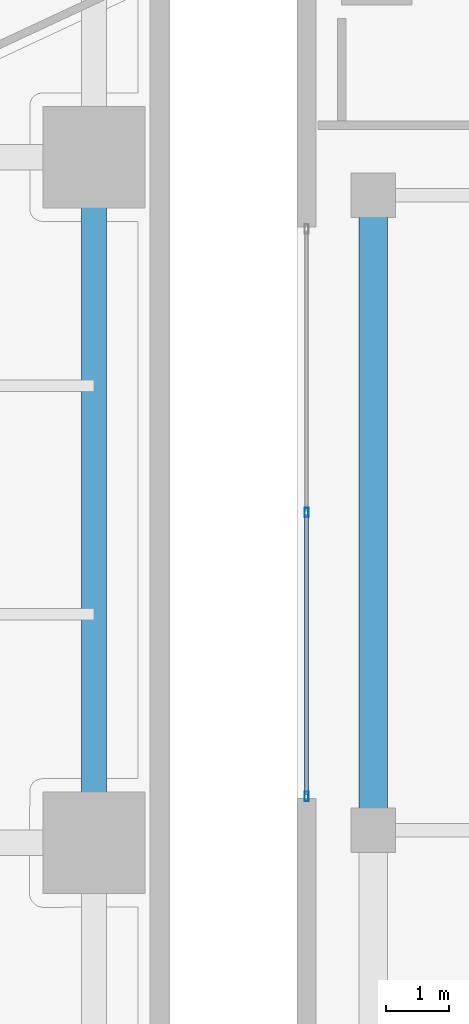
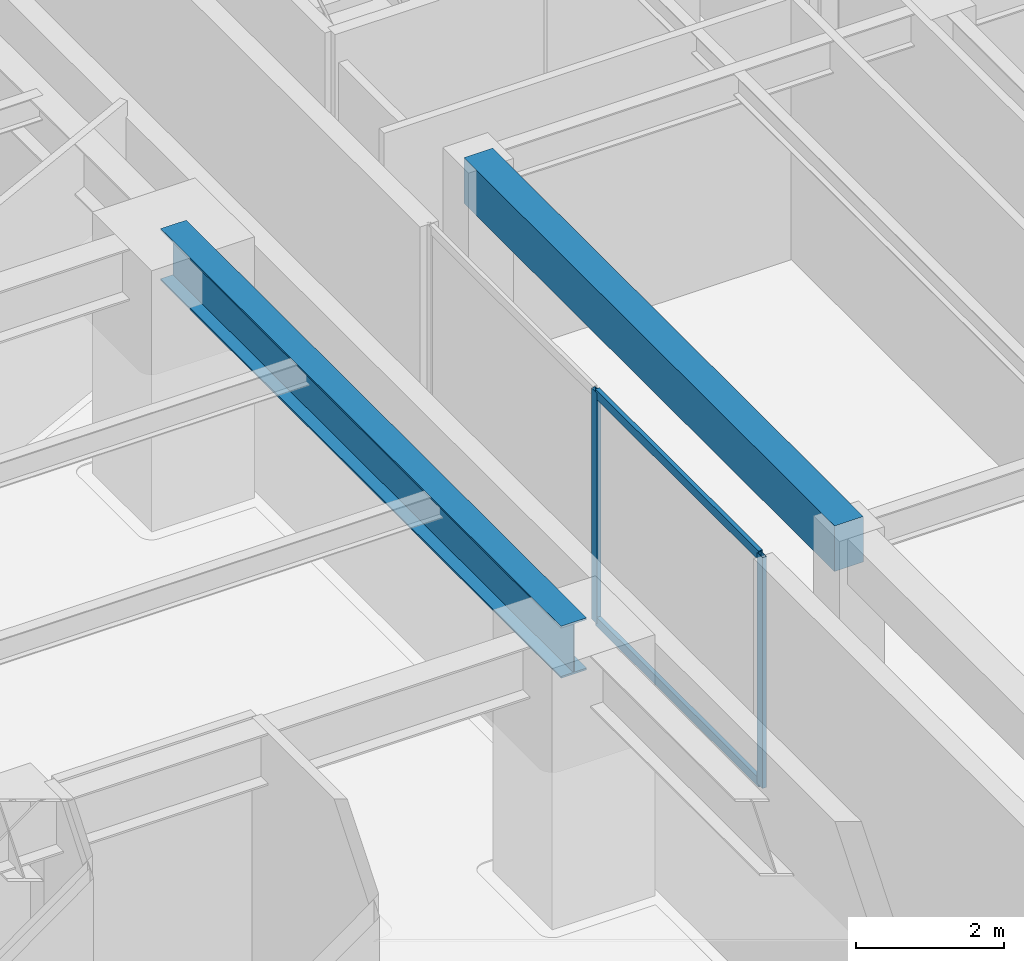
# One storey, part 8 of 25: 4 members, 2 beams, 1 element without a shape of its own.
"""IFC4 building model written with IfcOpenShell, lengths in metres."""

import ifcopenshell
import ifcopenshell.guid

model = None  # the IFC model being written
_history = None  # IfcOwnerHistory: only IFC2X3 demands one
_inside = {}  # id of a spatial element -> (the spatial element, [elements in it])
_under = {}  # id of a project, library or spatial element -> (it, [spatial elements below it])
_declared = {}  # id of a project -> (the project, [libraries it declares])
_typed = {}  # id of a type object -> (the type object, [elements of that type])
_made_of = {}  # id of a material, layer set ... -> (it, [elements and type objects made of it])


def new_model(schema):
    """Start an empty IFC model of exactly this schema.

    Asked for "IFC4X3", IfcOpenShell would pick the latest addendum, in which some entities
    have other attributes; the version numbers below select the first issue.
    IFC2X3 requires an IfcOwnerHistory on every rooted entity: one is made here for all.
    """
    global model, _history
    if schema == "IFC4X3":
        model = ifcopenshell.file(schema_version=(4, 3, 0, 0))
    else:
        model = ifcopenshell.file(schema=schema)
    _inside.clear()
    _under.clear()
    _declared.clear()
    _typed.clear()
    _made_of.clear()
    _history = None
    if model.schema == "IFC2X3":
        org = make("IfcOrganization", Name="unknown")
        user = make(
            "IfcPersonAndOrganization",
            ThePerson=make("IfcPerson", FamilyName="unknown"),
            TheOrganization=org,
        )
        app = make(
            "IfcApplication",
            ApplicationDeveloper=org,
            Version="unknown",
            ApplicationFullName="unknown",
            ApplicationIdentifier="unknown",
        )
        _history = make(
            "IfcOwnerHistory",
            OwningUser=user,
            OwningApplication=app,
            ChangeAction="ADDED",
            CreationDate=0,
        )
    return model


def make(cls, **values):
    """One entity of the class cls with the attributes given. An attribute that is None is left unset."""
    return model.create_entity(
        cls, **{name: value for name, value in values.items() if value is not None}
    )


def rooted(cls, **values):
    """An entity with a GlobalId (a new one), such as an element, a storey or a relation."""
    return make(cls, GlobalId=ifcopenshell.guid.new(), OwnerHistory=_history, **values)


def si_unit(unit_type, name, prefix=None):
    """IfcSIUnit, for example si_unit("LENGTHUNIT", "METRE", prefix="MILLI")."""
    return make("IfcSIUnit", UnitType=unit_type, Prefix=prefix, Name=name)


def assignment(units):
    """IfcUnitAssignment: the units of a project."""
    return None if units is None else make("IfcUnitAssignment", Units=units)


def point(xyz):
    """IfcCartesianPoint."""
    return None if xyz is None else make("IfcCartesianPoint", Coordinates=xyz)


def direction(xyz):
    """IfcDirection."""
    return None if xyz is None else make("IfcDirection", DirectionRatios=xyz)


def frame(location, z_axis=None, x_axis=None):
    """IfcAxis2Placement3D, a coordinate frame: its origin and axes. An axis left out is left unset."""
    return make(
        "IfcAxis2Placement3D",
        Location=point(location),
        Axis=direction(z_axis),
        RefDirection=direction(x_axis),
    )


def frame_2d(location, x_axis=None):
    """IfcAxis2Placement2D, a coordinate frame in the plane: its origin and x axis."""
    return make(
        "IfcAxis2Placement2D", Location=point(location), RefDirection=direction(x_axis)
    )


def origin():
    """The frame at (0, 0, 0) with its axes left unset."""
    return frame((0.0, 0.0, 0.0))


def origin_2d():
    """The frame at (0, 0) in the plane with its x axis left unset."""
    return frame_2d((0.0, 0.0))


def place(relative_to, where):
    """IfcLocalPlacement: puts the frame where relative to a parent placement (None: the world)."""
    return make(
        "IfcLocalPlacement", PlacementRelTo=relative_to, RelativePlacement=where
    )


def context(
    kind, dimensions, precision=None, world=None, true_north=None, identifier=None
):
    """IfcGeometricRepresentationContext, for example the 3D "Model" context."""
    return make(
        "IfcGeometricRepresentationContext",
        ContextIdentifier=identifier,
        ContextType=kind,
        CoordinateSpaceDimension=dimensions,
        Precision=precision,
        WorldCoordinateSystem=world,
        TrueNorth=true_north,
    )


def subcontext(parent, identifier, kind, view, scale=None):
    """IfcGeometricRepresentationSubContext, for example "Body" below "Model"."""
    return make(
        "IfcGeometricRepresentationSubContext",
        ContextIdentifier=identifier,
        ContextType=kind,
        ParentContext=parent,
        TargetScale=scale,
        TargetView=view,
    )


def project(units=None, contexts=None):
    """IfcProject with its units and contexts."""
    return rooted(
        "IfcProject",
        Name="project",
        RepresentationContexts=contexts,
        UnitsInContext=assignment(units),
    )


def spatial(cls, under=None, at=None, **own):
    """A site, building, storey or space (cls), placed at a placement, below another one or the project."""
    s = rooted(cls, ObjectPlacement=at, **own)
    if under is not None:
        _under.setdefault(under.id(), (under, []))[1].append(s)
    return s


def profile(cls, at=None, kind="AREA", **sizes):
    """A parametric profile (cls). Its sizes go by their IFC names, for example OverallWidth=200.0."""
    return make(cls, ProfileType=kind, Position=at, **sizes)


def rectangle(**sizes):
    """IfcRectangleProfileDef."""
    return profile("IfcRectangleProfileDef", **sizes)


def hollow_rectangle(**sizes):
    """IfcRectangleHollowProfileDef."""
    return profile("IfcRectangleHollowProfileDef", **sizes)


def i_section(**sizes):
    """IfcIShapeProfileDef."""
    return profile("IfcIShapeProfileDef", **sizes)


def extrude(swept, where, along, depth):
    """IfcExtrudedAreaSolid: the profile swept, set in the frame where, extruded along a direction by depth."""
    return make(
        "IfcExtrudedAreaSolid",
        SweptArea=swept,
        Position=where,
        ExtrudedDirection=direction(along),
        Depth=depth,
    )


def shape(context_of_items, identifier, shape_type, items):
    """IfcShapeRepresentation: the items that make up one representation, for example the "Body"."""
    return make(
        "IfcShapeRepresentation",
        ContextOfItems=context_of_items,
        RepresentationIdentifier=identifier,
        RepresentationType=shape_type,
        Items=items,
    )


def source(mapping_origin, context_of_items, identifier, shape_type, items):
    """IfcRepresentationMap: a shape defined once, which mapped items show again and again."""
    return make(
        "IfcRepresentationMap",
        MappingOrigin=mapping_origin,
        MappedRepresentation=shape(context_of_items, identifier, shape_type, items),
    )


def transform(
    local_origin,
    x_axis=None,
    y_axis=None,
    z_axis=None,
    scale=None,
    scale2=None,
    scale3=None,
    uniform=True,
):
    """IfcCartesianTransformationOperator3D, or its non-uniform kind. x_axis, y_axis, z_axis: its Axis1, 2, 3."""
    if uniform:
        return make(
            "IfcCartesianTransformationOperator3D",
            Axis1=direction(x_axis),
            Axis2=direction(y_axis),
            LocalOrigin=point(local_origin),
            Scale=scale,
            Axis3=direction(z_axis),
        )
    return make(
        "IfcCartesianTransformationOperator3DnonUniform",
        Axis1=direction(x_axis),
        Axis2=direction(y_axis),
        LocalOrigin=point(local_origin),
        Scale=scale,
        Axis3=direction(z_axis),
        Scale2=scale2,
        Scale3=scale3,
    )


def mapped(mapping_source, mapping_target):
    """IfcMappedItem: shows the shape of a source again, moved by a transform."""
    return make(
        "IfcMappedItem", MappingSource=mapping_source, MappingTarget=mapping_target
    )


def material(Name=None, Category=None):
    """IfcMaterial."""
    return make("IfcMaterial", Name=Name, Category=Category)


def layer(
    of_material, thickness, ventilated=None, Name=None, Category=None, Priority=None
):
    """IfcMaterialLayer: one layer of a wall or slab, of a material (None: an air gap)."""
    return make(
        "IfcMaterialLayer",
        Material=of_material,
        LayerThickness=thickness,
        IsVentilated=ventilated,
        Name=Name,
        Category=Category,
        Priority=Priority,
    )


def layer_set(layers, Name=None):
    """IfcMaterialLayerSet."""
    return make("IfcMaterialLayerSet", MaterialLayers=layers, LayerSetName=Name)


def material_profile(
    of_material, cross_section, Name=None, Category=None, Priority=None
):
    """IfcMaterialProfile: a cross section and its material."""
    return make(
        "IfcMaterialProfile",
        Name=Name,
        Material=of_material,
        Profile=cross_section,
        Priority=Priority,
        Category=Category,
    )


def profile_set(profiles, Name=None, composite=None):
    """IfcMaterialProfileSet."""
    return make(
        "IfcMaterialProfileSet",
        Name=Name,
        MaterialProfiles=profiles,
        CompositeProfile=composite,
    )


def made_of(thing, what):
    """Note that an element or type object is made of a material, layer set ...; save() writes the relation."""
    if what is not None:
        _made_of.setdefault(what.id(), (what, []))[1].append(thing)
    return thing


def type_object(cls, material=None, **own):
    """A type object (cls), such as IfcWallType, which elements share."""
    return made_of(rooted(cls, **own), material)


def type_shapes(of_type, sources):
    """Give a type object the sources (RepresentationMaps) that its elements show as mapped items."""
    of_type.RepresentationMaps = sources


def element(
    cls,
    number,
    at=None,
    inside=None,
    cuts=None,
    type_object=None,
    material=None,
    context=None,
    identifier="Body",
    shape_type=None,
    held_by="IfcProductDefinitionShape",
    body=None,
    shapes=None,
    **own,
):
    """One element of the class cls, such as IfcWall. Its Tag is "e" and its number.

    at: its placement. inside: the storey or other place that contains it. cuts: it is an
    opening in that element (IfcRelVoidsElement). A single representation is given by context,
    identifier, shape_type and body (its items); several are given by shapes. held_by: the class
    of the entity that holds the representations. save() writes the other relations.
    """
    e = rooted(cls, Tag="e%d" % number, ObjectPlacement=at, **own)
    if body is not None:
        shapes = [shape(context, identifier, shape_type, body)]
    if shapes is not None:
        e.Representation = make(held_by, Representations=shapes)
    if inside is not None:
        _inside.setdefault(inside.id(), (inside, []))[1].append(e)
    if cuts is not None:
        rooted(
            "IfcRelVoidsElement", RelatingBuildingElement=cuts, RelatedOpeningElement=e
        )
    if type_object is not None:
        _typed.setdefault(type_object.id(), (type_object, []))[1].append(e)
    return made_of(e, material)


def aggregate(whole, parts):
    """IfcRelAggregates: a whole, such as a stair, and the parts it consists of."""
    return rooted("IfcRelAggregates", RelatingObject=whole, RelatedObjects=parts)


def save(model, path):
    """Write the relations noted so far, then the file.

    IfcRelAggregates (storeys below a building ...), IfcRelContainedInSpatialStructure (elements
    in a storey), IfcRelDefinesByType, IfcRelAssociatesMaterial and IfcRelDeclares: one each for
    every whole, place, type object, material and project.
    """
    for whole, parts in _under.values():
        aggregate(whole, parts)
    for where, things in _inside.values():
        rooted(
            "IfcRelContainedInSpatialStructure",
            RelatedElements=things,
            RelatingStructure=where,
        )
    for kind, things in _typed.values():
        rooted("IfcRelDefinesByType", RelatedObjects=things, RelatingType=kind)
    for what, things in _made_of.values():
        rooted("IfcRelAssociatesMaterial", RelatedObjects=things, RelatingMaterial=what)
    for by, libraries in _declared.values():
        rooted("IfcRelDeclares", RelatingContext=by, RelatedDefinitions=libraries)
    model.write(path)


model = new_model("IFC4")

# Units and contexts
model_context = context("Model", 3, precision=1e-05, world=origin(), true_north=direction((0.0, 1.0)))
body_context = subcontext(model_context, "Body", "Model", "MODEL_VIEW")
ifc_project = project(units=[si_unit("LENGTHUNIT", "METRE"), si_unit("AREAUNIT", "SQUARE_METRE"), si_unit("VOLUMEUNIT", "CUBIC_METRE"), si_unit("PLANEANGLEUNIT", "RADIAN"), si_unit("MASSUNIT", "GRAM", prefix="KILO")], contexts=[model_context])

# Site, building, storey
site_placement = place(None, origin())
site = spatial("IfcSite", under=ifc_project, at=site_placement, CompositionType="ELEMENT")
building_placement = place(site_placement, origin())
building = spatial("IfcBuilding", under=site, at=building_placement, Name="Talar Marvaseh", CompositionType="ELEMENT")
storey_placement = place(building_placement, frame((0.0, 0.0, 5.199951171875)))
storey = spatial("IfcBuildingStorey", under=building, at=storey_placement, Name="L01", CompositionType="ELEMENT", Elevation=5.199951171875)

# Beams
ifc_material_1 = material(Name="Steel S355", Category="steel")
ifc_material_profile_1 = material_profile(ifc_material_1, i_section(OverallWidth=0.39990234375, OverallDepth=0.85498046875, WebThickness=0.018310546875, FlangeThickness=0.029296875, at=origin_2d()), Name="W840x299")
ifc_profile_set_1 = profile_set([ifc_material_profile_1], Name="Steel S355")
beam_type_1 = type_object("IfcBeamType", Name="Concourse Primary Girder W840x299", PredefinedType="BEAM", material=ifc_profile_set_1)
beam_1_placement = place(storey_placement, frame((50.800048828125, 25.800048828125, 3.87255859375), z_axis=(0.0, 1.0, 0.0), x_axis=(-1.0, 0.0, 0.0)))
element("IfcBeam", 1, at=beam_1_placement, inside=storey, type_object=beam_type_1, Name="L01 Concourse Primary Girder W840x299", PredefinedType="BEAM", context=body_context, shape_type="SweptSolid", body=[
    extrude(i_section(OverallWidth=0.39990234375, OverallDepth=0.85498046875, WebThickness=0.018310546875, FlangeThickness=0.029296875, at=origin_2d()), origin(), (0.0, 0.0, 1.0), 10.800048828125),
])
ifc_material_2 = material(Name="Concrete C40/50", Category="concrete")
ifc_material_profile_2 = material_profile(ifc_material_2, rectangle(XDim=0.449951171875, YDim=0.75, at=origin_2d()), Name="RC450x750")
ifc_profile_set_2 = profile_set([ifc_material_profile_2], Name="Concrete C40/50")
beam_type_2 = type_object("IfcBeamType", Name="Market Concrete Edge Beam RC450x750", PredefinedType="SPANDREL", material=ifc_profile_set_2)
beam_2_placement = place(storey_placement, frame((55.199951171875, 26.0, 3.925048828125), z_axis=(0.0, 1.0, 0.0), x_axis=(-1.0, 0.0, 0.0)))
element("IfcBeam", 2, at=beam_2_placement, inside=storey, type_object=beam_type_2, Name="L01 Market Concrete Edge Beam RC450x750", PredefinedType="SPANDREL", context=body_context, shape_type="SweptSolid", body=[
    extrude(rectangle(XDim=0.449951171875, YDim=0.75, at=origin_2d()), origin(), (0.0, 0.0, 1.0), 10.0),
])

# Curtain wall, members
ifc_material_3 = material(Name="Architectural Aluminium", Category="aluminium")
ifc_layer = layer(ifc_material_3, 0.169921875)
ifc_layer_set = layer_set([ifc_layer], Name="Architectural Aluminium")
curtain_wall_type = type_object("IfcCurtainWallType", Name="Market Hall Clerestory and Courtyard Curtain Wall", PredefinedType="NOTDEFINED", material=ifc_layer_set)
curtain_wall_placement = place(storey_placement, origin())
curtain_wall = element("IfcCurtainWall", 3, at=curtain_wall_placement, inside=storey, type_object=curtain_wall_type, Name="L01 Market Hall Clerestory and Courtyard Curtain Wall", PredefinedType="NOTDEFINED")
ifc_material_profile_3 = material_profile(ifc_material_3, hollow_rectangle(XDim=0.06494140625, YDim=0.14990234375, WallThickness=0.00390625, at=origin_2d()), Name="RHS150x65x4")
ifc_profile_set_3 = profile_set([ifc_material_profile_3], Name="Architectural Aluminium")
member_type_1 = type_object("IfcMemberType", Name="Unitised Curtain Wall Slim Transom RHS150x65x4", PredefinedType="USERDEFINED", material=ifc_profile_set_3)
shared_shape_1 = source(origin(), body_context, "Body", "SweptSolid", [
    extrude(hollow_rectangle(XDim=0.06494140625, YDim=0.14990234375, WallThickness=0.00390625, at=origin_2d()), origin(), (0.0, 0.0, 1.0), 4.402587890625),
])
type_shapes(member_type_1, [shared_shape_1])
member_1_placement = place(storey_placement, frame((54.14990234375, 26.56494140625, 0.032470703125), z_axis=(0.0, 1.0, 0.0), x_axis=(-1.0, 0.0, 0.0)))
member_1 = element("IfcMember", 4, at=member_1_placement, type_object=member_type_1, Name="CW-MKT transom 1.1", ObjectType="TRANSOM", PredefinedType="USERDEFINED", context=body_context, shape_type="MappedRepresentation", body=[
    mapped(shared_shape_1, transform((0.0, 0.0, 0.0), x_axis=(1.0, 0.0, 0.0), y_axis=(0.0, 1.0, 0.0), z_axis=(0.0, 0.0, 1.0), scale=1.0)),
])
member_2_placement = place(storey_placement, frame((54.14990234375, 26.56494140625, 3.767578125), z_axis=(0.0, 1.0, 0.0), x_axis=(-1.0, 0.0, 0.0)))
member_2 = element("IfcMember", 5, at=member_2_placement, type_object=member_type_1, Name="CW-MKT transom 1.2", ObjectType="TRANSOM", PredefinedType="USERDEFINED", context=body_context, shape_type="MappedRepresentation", body=[
    mapped(shared_shape_1, transform((0.0, 0.0, 0.0), x_axis=(1.0, 0.0, 0.0), y_axis=(0.0, 1.0, 0.0), z_axis=(0.0, 0.0, 1.0), scale=1.0)),
])
ifc_material_profile_4 = material_profile(ifc_material_3, hollow_rectangle(XDim=0.06494140625, YDim=0.14990234375, WallThickness=0.00390625, at=origin_2d()), Name="RHS150x65x4")
ifc_profile_set_4 = profile_set([ifc_material_profile_4], Name="Architectural Aluminium")
member_type_2 = type_object("IfcMemberType", Name="Unitised Curtain Wall Slim Mullion RHS150x65x4", PredefinedType="MULLION", material=ifc_profile_set_4)
shared_shape_2 = source(origin(), body_context, "Body", "SweptSolid", [
    extrude(hollow_rectangle(XDim=0.06494140625, YDim=0.14990234375, WallThickness=0.00390625, at=origin_2d()), origin(), (0.0, 0.0, 1.0), 3.800048828125),
])
type_shapes(member_type_2, [shared_shape_2])
member_3_placement = place(storey_placement, frame((54.14990234375, 26.532470703125, 0.0), z_axis=(0.0, 0.0, 1.0), x_axis=(-1.0, 0.0, 0.0)))
member_3 = element("IfcMember", 6, at=member_3_placement, type_object=member_type_2, Name="CW-MKT mullion 1", PredefinedType="MULLION", context=body_context, shape_type="MappedRepresentation", body=[
    mapped(shared_shape_2, transform((0.0, 0.0, 0.0), x_axis=(1.0, 0.0, 0.0), y_axis=(0.0, 1.0, 0.0), z_axis=(0.0, 0.0, 1.0), scale=1.0)),
])
member_4_placement = place(storey_placement, frame((54.14990234375, 31.0, 0.0), z_axis=(0.0, 0.0, 1.0), x_axis=(-1.0, 0.0, 0.0)))
member_4 = element("IfcMember", 7, at=member_4_placement, type_object=member_type_2, Name="CW-MKT mullion 2", PredefinedType="MULLION", context=body_context, shape_type="MappedRepresentation", body=[
    mapped(shared_shape_2, transform((0.0, 0.0, 0.0), x_axis=(1.0, 0.0, 0.0), y_axis=(0.0, 1.0, 0.0), z_axis=(0.0, 0.0, 1.0), scale=1.0)),
])
aggregate(curtain_wall, [member_3, member_4, member_1, member_2])

save(model, "model.ifc")
